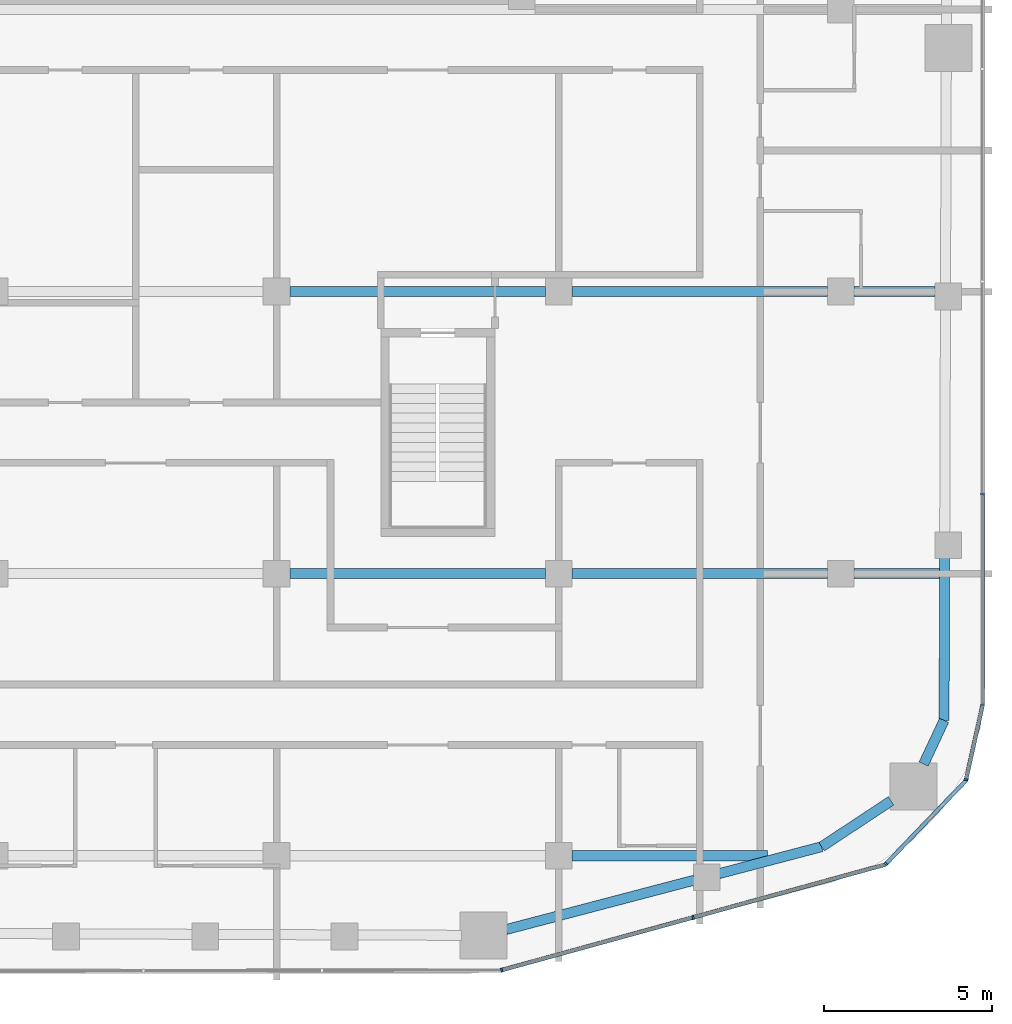
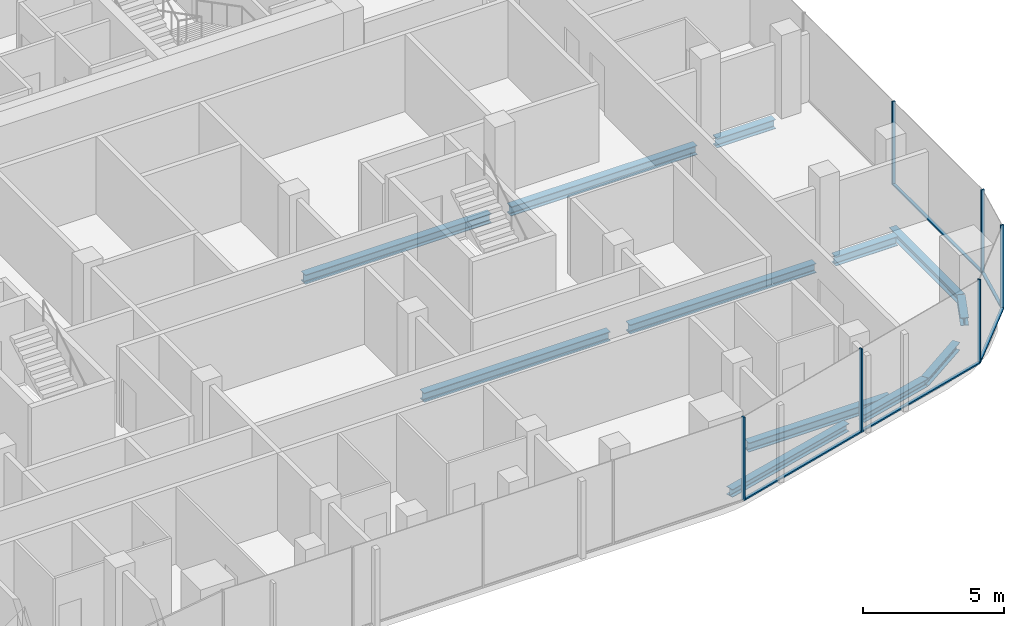
# One storey, part 6 of 21: 12 beams, 11 members, 4 elements without a shape of their own.
"""IFC4 building model written with IfcOpenShell, lengths in metres."""

import ifcopenshell
import ifcopenshell.guid

model = None  # the IFC model being written
_history = None  # IfcOwnerHistory: only IFC2X3 demands one
_inside = {}  # id of a spatial element -> (the spatial element, [elements in it])
_under = {}  # id of a project, library or spatial element -> (it, [spatial elements below it])
_declared = {}  # id of a project -> (the project, [libraries it declares])
_typed = {}  # id of a type object -> (the type object, [elements of that type])
_made_of = {}  # id of a material, layer set ... -> (it, [elements and type objects made of it])


def new_model(schema):
    """Start an empty IFC model of exactly this schema.

    Asked for "IFC4X3", IfcOpenShell would pick the latest addendum, in which some entities
    have other attributes; the version numbers below select the first issue.
    IFC2X3 requires an IfcOwnerHistory on every rooted entity: one is made here for all.
    """
    global model, _history
    if schema == "IFC4X3":
        model = ifcopenshell.file(schema_version=(4, 3, 0, 0))
    else:
        model = ifcopenshell.file(schema=schema)
    _inside.clear()
    _under.clear()
    _declared.clear()
    _typed.clear()
    _made_of.clear()
    _history = None
    if model.schema == "IFC2X3":
        org = make("IfcOrganization", Name="unknown")
        user = make(
            "IfcPersonAndOrganization",
            ThePerson=make("IfcPerson", FamilyName="unknown"),
            TheOrganization=org,
        )
        app = make(
            "IfcApplication",
            ApplicationDeveloper=org,
            Version="unknown",
            ApplicationFullName="unknown",
            ApplicationIdentifier="unknown",
        )
        _history = make(
            "IfcOwnerHistory",
            OwningUser=user,
            OwningApplication=app,
            ChangeAction="ADDED",
            CreationDate=0,
        )
    return model


def make(cls, **values):
    """One entity of the class cls with the attributes given. An attribute that is None is left unset."""
    return model.create_entity(
        cls, **{name: value for name, value in values.items() if value is not None}
    )


def rooted(cls, **values):
    """An entity with a GlobalId (a new one), such as an element, a storey or a relation."""
    return make(cls, GlobalId=ifcopenshell.guid.new(), OwnerHistory=_history, **values)


def si_unit(unit_type, name, prefix=None):
    """IfcSIUnit, for example si_unit("LENGTHUNIT", "METRE", prefix="MILLI")."""
    return make("IfcSIUnit", UnitType=unit_type, Prefix=prefix, Name=name)


def assignment(units):
    """IfcUnitAssignment: the units of a project."""
    return None if units is None else make("IfcUnitAssignment", Units=units)


def point(xyz):
    """IfcCartesianPoint."""
    return None if xyz is None else make("IfcCartesianPoint", Coordinates=xyz)


def direction(xyz):
    """IfcDirection."""
    return None if xyz is None else make("IfcDirection", DirectionRatios=xyz)


def frame(location, z_axis=None, x_axis=None):
    """IfcAxis2Placement3D, a coordinate frame: its origin and axes. An axis left out is left unset."""
    return make(
        "IfcAxis2Placement3D",
        Location=point(location),
        Axis=direction(z_axis),
        RefDirection=direction(x_axis),
    )


def frame_2d(location, x_axis=None):
    """IfcAxis2Placement2D, a coordinate frame in the plane: its origin and x axis."""
    return make(
        "IfcAxis2Placement2D", Location=point(location), RefDirection=direction(x_axis)
    )


def origin():
    """The frame at (0, 0, 0) with its axes left unset."""
    return frame((0.0, 0.0, 0.0))


def origin_2d():
    """The frame at (0, 0) in the plane with its x axis left unset."""
    return frame_2d((0.0, 0.0))


def place(relative_to, where):
    """IfcLocalPlacement: puts the frame where relative to a parent placement (None: the world)."""
    return make(
        "IfcLocalPlacement", PlacementRelTo=relative_to, RelativePlacement=where
    )


def context(
    kind, dimensions, precision=None, world=None, true_north=None, identifier=None
):
    """IfcGeometricRepresentationContext, for example the 3D "Model" context."""
    return make(
        "IfcGeometricRepresentationContext",
        ContextIdentifier=identifier,
        ContextType=kind,
        CoordinateSpaceDimension=dimensions,
        Precision=precision,
        WorldCoordinateSystem=world,
        TrueNorth=true_north,
    )


def subcontext(parent, identifier, kind, view, scale=None):
    """IfcGeometricRepresentationSubContext, for example "Body" below "Model"."""
    return make(
        "IfcGeometricRepresentationSubContext",
        ContextIdentifier=identifier,
        ContextType=kind,
        ParentContext=parent,
        TargetScale=scale,
        TargetView=view,
    )


def project(units=None, contexts=None):
    """IfcProject with its units and contexts."""
    return rooted(
        "IfcProject",
        Name="project",
        RepresentationContexts=contexts,
        UnitsInContext=assignment(units),
    )


def spatial(cls, under=None, at=None, **own):
    """A site, building, storey or space (cls), placed at a placement, below another one or the project."""
    s = rooted(cls, ObjectPlacement=at, **own)
    if under is not None:
        _under.setdefault(under.id(), (under, []))[1].append(s)
    return s


def profile(cls, at=None, kind="AREA", **sizes):
    """A parametric profile (cls). Its sizes go by their IFC names, for example OverallWidth=200.0."""
    return make(cls, ProfileType=kind, Position=at, **sizes)


def rectangle(**sizes):
    """IfcRectangleProfileDef."""
    return profile("IfcRectangleProfileDef", **sizes)


def i_section(**sizes):
    """IfcIShapeProfileDef."""
    return profile("IfcIShapeProfileDef", **sizes)


def extrude(swept, where, along, depth):
    """IfcExtrudedAreaSolid: the profile swept, set in the frame where, extruded along a direction by depth."""
    return make(
        "IfcExtrudedAreaSolid",
        SweptArea=swept,
        Position=where,
        ExtrudedDirection=direction(along),
        Depth=depth,
    )


def shape(context_of_items, identifier, shape_type, items):
    """IfcShapeRepresentation: the items that make up one representation, for example the "Body"."""
    return make(
        "IfcShapeRepresentation",
        ContextOfItems=context_of_items,
        RepresentationIdentifier=identifier,
        RepresentationType=shape_type,
        Items=items,
    )


def material(Name=None, Category=None):
    """IfcMaterial."""
    return make("IfcMaterial", Name=Name, Category=Category)


def layer(
    of_material, thickness, ventilated=None, Name=None, Category=None, Priority=None
):
    """IfcMaterialLayer: one layer of a wall or slab, of a material (None: an air gap)."""
    return make(
        "IfcMaterialLayer",
        Material=of_material,
        LayerThickness=thickness,
        IsVentilated=ventilated,
        Name=Name,
        Category=Category,
        Priority=Priority,
    )


def layer_set(layers, Name=None):
    """IfcMaterialLayerSet."""
    return make("IfcMaterialLayerSet", MaterialLayers=layers, LayerSetName=Name)


def material_profile(
    of_material, cross_section, Name=None, Category=None, Priority=None
):
    """IfcMaterialProfile: a cross section and its material."""
    return make(
        "IfcMaterialProfile",
        Name=Name,
        Material=of_material,
        Profile=cross_section,
        Priority=Priority,
        Category=Category,
    )


def profile_set(profiles, Name=None, composite=None):
    """IfcMaterialProfileSet."""
    return make(
        "IfcMaterialProfileSet",
        Name=Name,
        MaterialProfiles=profiles,
        CompositeProfile=composite,
    )


def made_of(thing, what):
    """Note that an element or type object is made of a material, layer set ...; save() writes the relation."""
    if what is not None:
        _made_of.setdefault(what.id(), (what, []))[1].append(thing)
    return thing


def type_object(cls, material=None, **own):
    """A type object (cls), such as IfcWallType, which elements share."""
    return made_of(rooted(cls, **own), material)


def element(
    cls,
    number,
    at=None,
    inside=None,
    cuts=None,
    type_object=None,
    material=None,
    context=None,
    identifier="Body",
    shape_type=None,
    held_by="IfcProductDefinitionShape",
    body=None,
    shapes=None,
    **own,
):
    """One element of the class cls, such as IfcWall. Its Tag is "e" and its number.

    at: its placement. inside: the storey or other place that contains it. cuts: it is an
    opening in that element (IfcRelVoidsElement). A single representation is given by context,
    identifier, shape_type and body (its items); several are given by shapes. held_by: the class
    of the entity that holds the representations. save() writes the other relations.
    """
    e = rooted(cls, Tag="e%d" % number, ObjectPlacement=at, **own)
    if body is not None:
        shapes = [shape(context, identifier, shape_type, body)]
    if shapes is not None:
        e.Representation = make(held_by, Representations=shapes)
    if inside is not None:
        _inside.setdefault(inside.id(), (inside, []))[1].append(e)
    if cuts is not None:
        rooted(
            "IfcRelVoidsElement", RelatingBuildingElement=cuts, RelatedOpeningElement=e
        )
    if type_object is not None:
        _typed.setdefault(type_object.id(), (type_object, []))[1].append(e)
    return made_of(e, material)


def aggregate(whole, parts):
    """IfcRelAggregates: a whole, such as a stair, and the parts it consists of."""
    return rooted("IfcRelAggregates", RelatingObject=whole, RelatedObjects=parts)


def save(model, path):
    """Write the relations noted so far, then the file.

    IfcRelAggregates (storeys below a building ...), IfcRelContainedInSpatialStructure (elements
    in a storey), IfcRelDefinesByType, IfcRelAssociatesMaterial and IfcRelDeclares: one each for
    every whole, place, type object, material and project.
    """
    for whole, parts in _under.values():
        aggregate(whole, parts)
    for where, things in _inside.values():
        rooted(
            "IfcRelContainedInSpatialStructure",
            RelatedElements=things,
            RelatingStructure=where,
        )
    for kind, things in _typed.values():
        rooted("IfcRelDefinesByType", RelatedObjects=things, RelatingType=kind)
    for what, things in _made_of.values():
        rooted("IfcRelAssociatesMaterial", RelatedObjects=things, RelatingMaterial=what)
    for by, libraries in _declared.values():
        rooted("IfcRelDeclares", RelatingContext=by, RelatedDefinitions=libraries)
    model.write(path)


model = new_model("IFC4")

# Units and contexts
model_context = context("Model", 3, precision=1e-05, world=origin(), true_north=direction((0.0, 1.0)))
body_context = subcontext(model_context, "Body", "Model", "MODEL_VIEW")
ifc_project = project(units=[si_unit("LENGTHUNIT", "METRE"), si_unit("AREAUNIT", "SQUARE_METRE"), si_unit("VOLUMEUNIT", "CUBIC_METRE"), si_unit("PLANEANGLEUNIT", "RADIAN"), si_unit("MASSUNIT", "GRAM", prefix="KILO")], contexts=[model_context])

# Site, building, storey
site_placement = place(None, origin())
site = spatial("IfcSite", under=ifc_project, at=site_placement, CompositionType="ELEMENT")
building_placement = place(site_placement, origin())
building = spatial("IfcBuilding", under=site, at=building_placement, Name="Marenta Gate Hotel Tower", CompositionType="ELEMENT")
storey_placement = place(building_placement, frame((0.0, 0.0, 245.300048828125)))
storey = spatial("IfcBuildingStorey", under=building, at=storey_placement, Name="L58", CompositionType="ELEMENT", Elevation=245.300048828125)

# Beams
ifc_material_1 = material(Name="Steel S355", Category="steel")
ifc_material_profile_1 = material_profile(ifc_material_1, i_section(OverallWidth=0.300048828125, OverallDepth=0.340087890625, WebThickness=0.011962890625, FlangeThickness=0.021484375, FilletRadius=0.027099609375, at=origin_2d()), Name="HEB 340")
ifc_profile_set_1 = profile_set([ifc_material_profile_1], Name="Steel S355")
beam_type_1 = type_object("IfcBeamType", Name="Edge beam HEB 340", PredefinedType="SPANDREL", material=ifc_profile_set_1)
beam_1_placement = place(storey_placement, frame((24.09130859375, -16.31201171875, -0.429931640625), z_axis=(-0.003318732666, -0.999994492992, 0.0), x_axis=(0.999994492992, -0.003318732666, 0.0)))
element("IfcBeam", 1, at=beam_1_placement, inside=storey, type_object=beam_type_1, Name="L58-EB-27", PredefinedType="SPANDREL", context=body_context, shape_type="SweptSolid", body=[
    extrude(i_section(OverallWidth=0.300048828125, OverallDepth=0.340087890625, WebThickness=0.011962890625, FlangeThickness=0.021484375, FilletRadius=0.027099609375, at=origin_2d()), origin(), (0.0, 0.0, 1.0), 4.855224609375),
])
beam_2_placement = place(storey_placement, frame((24.0751953125, -21.167236328125, -0.429931640625), z_axis=(-0.423341112024, -0.905970365338, 0.0), x_axis=(0.905970365338, -0.423341112024, 0.0)))
element("IfcBeam", 2, at=beam_2_placement, inside=storey, type_object=beam_type_1, Name="L58-EB-28", PredefinedType="SPANDREL", context=body_context, shape_type="SweptSolid", body=[
    extrude(i_section(OverallWidth=0.300048828125, OverallDepth=0.340087890625, WebThickness=0.011962890625, FlangeThickness=0.021484375, FilletRadius=0.027099609375, at=origin_2d()), origin(), (0.0, 0.0, 1.0), 1.437255859375),
])
beam_3_placement = place(storey_placement, frame((22.496337890625, -23.56640625, -0.429931640625), z_axis=(-0.834528740585, -0.550964410047, 0.0), x_axis=(0.550964410047, -0.834528740585, 0.0)))
element("IfcBeam", 3, at=beam_3_placement, inside=storey, type_object=beam_type_1, Name="L58-EB-29", PredefinedType="SPANDREL", context=body_context, shape_type="SweptSolid", body=[
    extrude(i_section(OverallWidth=0.300048828125, OverallDepth=0.340087890625, WebThickness=0.011962890625, FlangeThickness=0.021484375, FilletRadius=0.027099609375, at=origin_2d()), origin(), (0.0, 0.0, 1.0), 2.47705078125),
])
beam_4_placement = place(storey_placement, frame((20.42919921875, -24.93115234375, -0.429931640625), z_axis=(-0.967235227858, -0.253881889845, 0.0), x_axis=(0.253881889845, -0.967235227858, 0.0)))
element("IfcBeam", 4, at=beam_4_placement, inside=storey, type_object=beam_type_1, Name="L58-EB-30", PredefinedType="SPANDREL", context=body_context, shape_type="SweptSolid", body=[
    extrude(i_section(OverallWidth=0.300048828125, OverallDepth=0.340087890625, WebThickness=0.011962890625, FlangeThickness=0.021484375, FilletRadius=0.027099609375, at=origin_2d()), origin(), (0.0, 0.0, 1.0), 3.164794921875),
])
beam_5_placement = place(storey_placement, frame((16.6455078125, -25.92431640625, -0.429931640625), z_axis=(-0.96723496524, -0.253882890359, 0.0), x_axis=(0.253882890359, -0.96723496524, 0.0)))
element("IfcBeam", 5, at=beam_5_placement, inside=storey, type_object=beam_type_1, Name="L58-EB-31", PredefinedType="SPANDREL", context=body_context, shape_type="SweptSolid", body=[
    extrude(i_section(OverallWidth=0.300048828125, OverallDepth=0.340087890625, WebThickness=0.011962890625, FlangeThickness=0.021484375, FilletRadius=0.027099609375, at=origin_2d()), origin(), (0.0, 0.0, 1.0), 5.80810546875),
])
ifc_material_2 = material(Name="Steel S355", Category="steel")
ifc_material_profile_2 = material_profile(ifc_material_2, i_section(OverallWidth=0.300048828125, OverallDepth=0.39990234375, WebThickness=0.013427734375, FlangeThickness=0.02392578125, FilletRadius=0.027099609375, at=origin_2d()), Name="HEB 400")
ifc_profile_set_2 = profile_set([ifc_material_profile_2], Name="Steel S355")
beam_type_2 = type_object("IfcBeamType", Name="Girder HEB 400", PredefinedType="BEAM", material=ifc_profile_set_2)
beam_6_placement = place(storey_placement, frame((13.0, -25.199951171875, -0.4599609375), z_axis=(1.0, 0.0, 0.0), x_axis=(0.0, 1.0, 0.0)))
element("IfcBeam", 6, at=beam_6_placement, inside=storey, type_object=beam_type_2, Name="L58-GD-5", PredefinedType="BEAM", context=body_context, shape_type="SweptSolid", body=[
    extrude(i_section(OverallWidth=0.300048828125, OverallDepth=0.39990234375, WebThickness=0.013427734375, FlangeThickness=0.02392578125, FilletRadius=0.027099609375, at=origin_2d()), origin(), (0.0, 0.0, 1.0), 5.81396484375),
])
beam_7_placement = place(storey_placement, frame((4.60009765625, -16.800048828125, -0.4599609375), z_axis=(1.0, 0.0, 0.0), x_axis=(0.0, 1.0, 0.0)))
element("IfcBeam", 7, at=beam_7_placement, inside=storey, type_object=beam_type_2, Name="L58-GD-10", PredefinedType="BEAM", context=body_context, shape_type="SweptSolid", body=[
    extrude(i_section(OverallWidth=0.300048828125, OverallDepth=0.39990234375, WebThickness=0.013427734375, FlangeThickness=0.02392578125, FilletRadius=0.027099609375, at=origin_2d()), origin(), (0.0, 0.0, 1.0), 7.599853515625),
])
beam_8_placement = place(storey_placement, frame((13.0, -16.800048828125, -0.4599609375), z_axis=(1.0, 0.0, 0.0), x_axis=(0.0, 1.0, 0.0)))
element("IfcBeam", 8, at=beam_8_placement, inside=storey, type_object=beam_type_2, Name="L58-GD-11", PredefinedType="BEAM", context=body_context, shape_type="SweptSolid", body=[
    extrude(i_section(OverallWidth=0.300048828125, OverallDepth=0.39990234375, WebThickness=0.013427734375, FlangeThickness=0.02392578125, FilletRadius=0.027099609375, at=origin_2d()), origin(), (0.0, 0.0, 1.0), 7.60009765625),
])
beam_9_placement = place(storey_placement, frame((21.39990234375, -16.800048828125, -0.4599609375), z_axis=(1.0, 0.0, 0.0), x_axis=(0.0, 1.0, 0.0)))
element("IfcBeam", 9, at=beam_9_placement, inside=storey, type_object=beam_type_2, Name="L58-GD-12", PredefinedType="BEAM", context=body_context, shape_type="SweptSolid", body=[
    extrude(i_section(OverallWidth=0.300048828125, OverallDepth=0.39990234375, WebThickness=0.013427734375, FlangeThickness=0.02392578125, FilletRadius=0.027099609375, at=origin_2d()), origin(), (0.0, 0.0, 1.0), 2.539794921875),
])
beam_10_placement = place(storey_placement, frame((4.60009765625, -8.39990234375, -0.4599609375), z_axis=(1.0, 0.0, 0.0), x_axis=(0.0, 1.0, 0.0)))
element("IfcBeam", 10, at=beam_10_placement, inside=storey, type_object=beam_type_2, Name="L58-GD-17", PredefinedType="BEAM", context=body_context, shape_type="SweptSolid", body=[
    extrude(i_section(OverallWidth=0.300048828125, OverallDepth=0.39990234375, WebThickness=0.013427734375, FlangeThickness=0.02392578125, FilletRadius=0.027099609375, at=origin_2d()), origin(), (0.0, 0.0, 1.0), 7.599853515625),
])
beam_11_placement = place(storey_placement, frame((13.0, -8.39990234375, -0.4599609375), z_axis=(1.0, 0.0, 0.0), x_axis=(0.0, 1.0, 0.0)))
element("IfcBeam", 11, at=beam_11_placement, inside=storey, type_object=beam_type_2, Name="L58-GD-18", PredefinedType="BEAM", context=body_context, shape_type="SweptSolid", body=[
    extrude(i_section(OverallWidth=0.300048828125, OverallDepth=0.39990234375, WebThickness=0.013427734375, FlangeThickness=0.02392578125, FilletRadius=0.027099609375, at=origin_2d()), origin(), (0.0, 0.0, 1.0), 7.60009765625),
])
beam_12_placement = place(storey_placement, frame((21.39990234375, -8.39990234375, -0.4599609375), z_axis=(1.0, 0.0, 0.0), x_axis=(0.0, 1.0, 0.0)))
element("IfcBeam", 12, at=beam_12_placement, inside=storey, type_object=beam_type_2, Name="L58-GD-19", PredefinedType="BEAM", context=body_context, shape_type="SweptSolid", body=[
    extrude(i_section(OverallWidth=0.300048828125, OverallDepth=0.39990234375, WebThickness=0.013427734375, FlangeThickness=0.02392578125, FilletRadius=0.027099609375, at=origin_2d()), origin(), (0.0, 0.0, 1.0), 2.400146484375),
])

# Curtain wall, members
ifc_material_3 = material(Name="Tinted insulated glass in bronze anodised frame", Category="glass")
ifc_layer = layer(ifc_material_3, 0.1201171875)
ifc_layer_set = layer_set([ifc_layer], Name="Tinted insulated glass in bronze anodised frame")
curtain_wall_type = type_object("IfcCurtainWallType", Name="Tower unitised curtain wall CW1", PredefinedType="NOTDEFINED", material=ifc_layer_set)
curtain_wall_1_placement = place(storey_placement, origin())
curtain_wall_1 = element("IfcCurtainWall", 13, at=curtain_wall_1_placement, inside=storey, type_object=curtain_wall_type, Name="CW1 run G08", PredefinedType="NOTDEFINED")
ifc_material_4 = material(Name="Bronze anodised aluminium", Category="aluminium")
ifc_material_profile_3 = material_profile(ifc_material_4, rectangle(XDim=0.1201171875, YDim=0.06005859375, at=origin_2d()), Name="Mullion CW1 60x120 bronze anodised aluminium")
ifc_profile_set_3 = profile_set([ifc_material_profile_3], Name="Bronze anodised aluminium")
member_type_1 = type_object("IfcMemberType", Name="Mullion CW1 60x120 bronze anodised aluminium", PredefinedType="MULLION", material=ifc_profile_set_3)
member_1_placement = place(storey_placement, frame((10.902587890625, -28.6044921875, 0.0), z_axis=(0.0, 0.0, 1.0), x_axis=(-0.265293272675, 0.964167765212, 0.0)))
member_1 = element("IfcMember", 14, at=member_1_placement, type_object=member_type_1, Name="CW1 mullion 1", PredefinedType="MULLION", context=body_context, shape_type="SweptSolid", body=[
    extrude(rectangle(XDim=0.1201171875, YDim=0.06005859375, at=origin_2d()), origin(), (0.0, 0.0, 1.0), 3.599853515625),
])
member_2_placement = place(storey_placement, frame((16.599365234375, -27.037109375, 0.0), z_axis=(0.0, 0.0, 1.0), x_axis=(-0.265293272675, 0.964167765212, 0.0)))
member_2 = element("IfcMember", 15, at=member_2_placement, type_object=member_type_1, Name="CW1 mullion 2", PredefinedType="MULLION", context=body_context, shape_type="SweptSolid", body=[
    extrude(rectangle(XDim=0.1201171875, YDim=0.06005859375, at=origin_2d()), origin(), (0.0, 0.0, 1.0), 3.599853515625),
])

# Curtain wall, member
curtain_wall_2_placement = place(storey_placement, origin())
curtain_wall_2 = element("IfcCurtainWall", 16, at=curtain_wall_2_placement, inside=storey, type_object=curtain_wall_type, Name="CW1 run G09", PredefinedType="NOTDEFINED")
member_3_placement = place(storey_placement, frame((22.345458984375, -25.43994140625, 0.0), z_axis=(0.0, 0.0, 1.0), x_axis=(-0.72137172224, 0.692548076564, 0.0)))
member_3 = element("IfcMember", 17, at=member_3_placement, type_object=member_type_1, Name="CW1 mullion 1", PredefinedType="MULLION", context=body_context, shape_type="SweptSolid", body=[
    extrude(rectangle(XDim=0.1201171875, YDim=0.06005859375, at=origin_2d()), origin(), (0.0, 0.0, 1.0), 3.599853515625),
])

curtain_wall_3_placement = place(storey_placement, origin())
curtain_wall_3 = element("IfcCurtainWall", 18, at=curtain_wall_3_placement, inside=storey, type_object=curtain_wall_type, Name="CW1 run G10", PredefinedType="NOTDEFINED")
member_4_placement = place(storey_placement, frame((24.726806640625, -22.937255859375, 0.0), z_axis=(0.0, 0.0, 1.0), x_axis=(-0.97620669183, 0.216842096529, 0.0)))
member_4 = element("IfcMember", 19, at=member_4_placement, type_object=member_type_1, Name="CW1 mullion 1", PredefinedType="MULLION", context=body_context, shape_type="SweptSolid", body=[
    extrude(rectangle(XDim=0.1201171875, YDim=0.06005859375, at=origin_2d()), origin(), (0.0, 0.0, 1.0), 3.599853515625),
])

# Curtain wall, members
curtain_wall_4_placement = place(storey_placement, origin())
curtain_wall_4 = element("IfcCurtainWall", 20, at=curtain_wall_4_placement, inside=storey, type_object=curtain_wall_type, Name="CW1 run G11", PredefinedType="NOTDEFINED")
member_5_placement = place(storey_placement, frame((25.214111328125, -20.7138671875, 0.0), z_axis=(0.0, 0.0, 1.0), x_axis=(-1.0, 0.0, 0.0)))
member_5 = element("IfcMember", 21, at=member_5_placement, type_object=member_type_1, Name="CW1 mullion 1", PredefinedType="MULLION", context=body_context, shape_type="SweptSolid", body=[
    extrude(rectangle(XDim=0.1201171875, YDim=0.06005859375, at=origin_2d()), origin(), (0.0, 0.0, 1.0), 3.599853515625),
])
member_6_placement = place(storey_placement, frame((25.214111328125, -14.42138671875, 0.0), z_axis=(0.0, 0.0, 1.0), x_axis=(-1.0, 0.0, 0.0)))
member_6 = element("IfcMember", 22, at=member_6_placement, type_object=member_type_1, Name="CW1 mullion 2", PredefinedType="MULLION", context=body_context, shape_type="SweptSolid", body=[
    extrude(rectangle(XDim=0.1201171875, YDim=0.06005859375, at=origin_2d()), origin(), (0.0, 0.0, 1.0), 3.599853515625),
])

# Member
ifc_material_5 = material(Name="Bronze anodised aluminium", Category="aluminium")
ifc_material_profile_4 = material_profile(ifc_material_5, rectangle(XDim=0.1201171875, YDim=0.06005859375, at=origin_2d()), Name="Transom CW1 60x120 bronze anodised aluminium")
ifc_profile_set_4 = profile_set([ifc_material_profile_4], Name="Bronze anodised aluminium")
member_type_2 = type_object("IfcMemberType", Name="Transom CW1 60x120 bronze anodised aluminium", PredefinedType="USERDEFINED", material=ifc_profile_set_4)
member_7_placement = place(storey_placement, frame((10.931640625, -28.5966796875, 0.030029296875), z_axis=(0.964166959812, 0.265296199758, 0.0), x_axis=(-0.265296199758, 0.964166959812, 0.0)))
member_7 = element("IfcMember", 23, at=member_7_placement, type_object=member_type_2, Name="CW1 transom 1.1", ObjectType="TRANSOM", PredefinedType="USERDEFINED", context=body_context, shape_type="SweptSolid", body=[
    extrude(rectangle(XDim=0.1201171875, YDim=0.06005859375, at=origin_2d()), origin(), (0.0, 0.0, 1.0), 5.84814453125),
])

member_8_placement = place(storey_placement, frame((16.628173828125, -27.029052734375, 0.030029296875), z_axis=(0.964169199953, 0.265288058274, 0.0), x_axis=(-0.265288058274, 0.964169199953, 0.0)))
member_8 = element("IfcMember", 24, at=member_8_placement, type_object=member_type_2, Name="CW1 transom 2.1", ObjectType="TRANSOM", PredefinedType="USERDEFINED", context=body_context, shape_type="SweptSolid", body=[
    extrude(rectangle(XDim=0.1201171875, YDim=0.06005859375, at=origin_2d()), origin(), (0.0, 0.0, 1.0), 5.908203125),
])

aggregate(curtain_wall_1, [member_1, member_2, member_7, member_8])

member_9_placement = place(storey_placement, frame((22.366455078125, -25.41845703125, 0.030029296875), z_axis=(0.692521361505, 0.721397368903, 0.0), x_axis=(-0.721397368903, 0.692521361505, 0.0)))
member_9 = element("IfcMember", 25, at=member_9_placement, type_object=member_type_2, Name="CW1 transom 1.1", ObjectType="TRANSOM", PredefinedType="USERDEFINED", context=body_context, shape_type="SweptSolid", body=[
    extrude(rectangle(XDim=0.1201171875, YDim=0.06005859375, at=origin_2d()), origin(), (0.0, 0.0, 1.0), 3.39892578125),
])

aggregate(curtain_wall_2, [member_3, member_9])

member_10_placement = place(storey_placement, frame((24.7333984375, -22.907958984375, 0.030029296875), z_axis=(0.216848830219, 0.976205196069, 0.0), x_axis=(-0.976205196069, 0.216848830219, 0.0)))
member_10 = element("IfcMember", 26, at=member_10_placement, type_object=member_type_2, Name="CW1 transom 1.1", ObjectType="TRANSOM", PredefinedType="USERDEFINED", context=body_context, shape_type="SweptSolid", body=[
    extrude(rectangle(XDim=0.1201171875, YDim=0.06005859375, at=origin_2d()), origin(), (0.0, 0.0, 1.0), 2.216796875),
])

aggregate(curtain_wall_3, [member_4, member_10])

member_11_placement = place(storey_placement, frame((25.214111328125, -20.683837890625, 0.030029296875), z_axis=(0.0, 1.0, 0.0), x_axis=(-1.0, 0.0, 0.0)))
member_11 = element("IfcMember", 27, at=member_11_placement, type_object=member_type_2, Name="CW1 transom 1.1", ObjectType="TRANSOM", PredefinedType="USERDEFINED", context=body_context, shape_type="SweptSolid", body=[
    extrude(rectangle(XDim=0.1201171875, YDim=0.06005859375, at=origin_2d()), origin(), (0.0, 0.0, 1.0), 6.232666015625),
])

aggregate(curtain_wall_4, [member_5, member_6, member_11])

save(model, "model.ifc")
